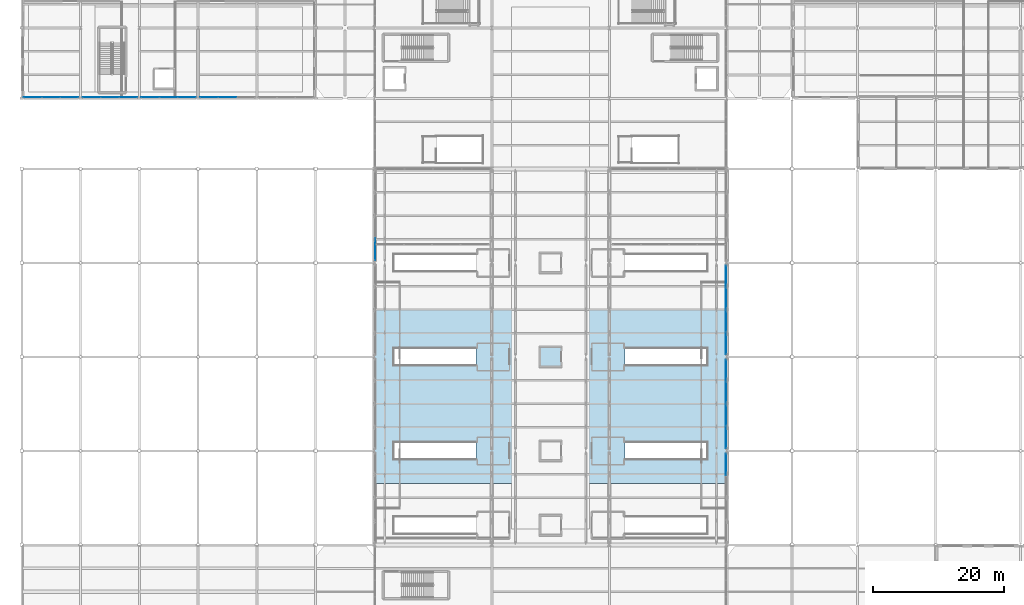
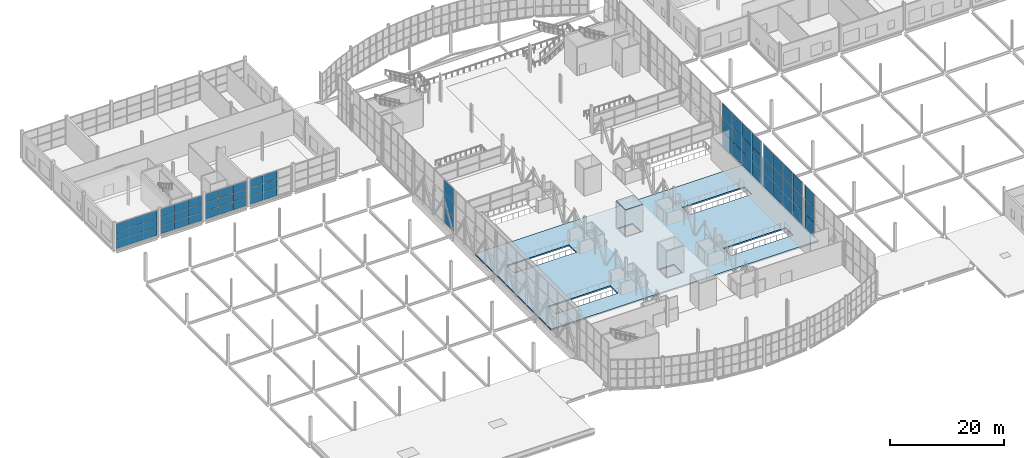
# One storey, part 151 of 191: 63 plates, 2 slabs, 8 elements without a shape of their own.
"""IFC4 building model written with IfcOpenShell, lengths in metres."""

from ifc_helpers import new_model, si_unit, direction, frame, origin, origin_2d, place, context, subcontext, project, spatial, polyline, rectangle, outline, extrude, material, layer, layer_set, type_object, element, aggregate, save


model = new_model("IFC4")

# Units and contexts
model_context = context("Model", 3, precision=1e-05, world=origin(), true_north=direction((0.0, 1.0)))
body_context = subcontext(model_context, "Body", "Model", "MODEL_VIEW")
ifc_project = project(units=[si_unit("LENGTHUNIT", "METRE"), si_unit("AREAUNIT", "SQUARE_METRE"), si_unit("VOLUMEUNIT", "CUBIC_METRE"), si_unit("PLANEANGLEUNIT", "RADIAN"), si_unit("MASSUNIT", "GRAM", prefix="KILO")], contexts=[model_context])

# Site, building, storey
site_placement = place(None, origin())
site = spatial("IfcSite", under=ifc_project, at=site_placement, CompositionType="ELEMENT")
building_placement = place(site_placement, origin())
building = spatial("IfcBuilding", under=site, at=building_placement, Name="Tamarisk Ironworks Central Station", CompositionType="ELEMENT")
storey_placement = place(building_placement, frame((0.0, 0.0, 6.60009765625)))
storey = spatial("IfcBuildingStorey", under=building, at=storey_placement, Name="L01", CompositionType="ELEMENT", Elevation=6.60009765625)

# Curtain wall, plates
ifc_material_1 = material(Name="Anodized aluminium alloy 6063-T6", Category="aluminium")
ifc_layer_1 = layer(ifc_material_1, 0.179931640625)
ifc_layer_set_1 = layer_set([ifc_layer_1], Name="Anodized aluminium alloy 6063-T6")
curtain_wall_type_1 = type_object("IfcCurtainWallType", Name="CW-06", PredefinedType="USERDEFINED", material=ifc_layer_set_1)
curtain_wall_1_placement = place(storey_placement, origin())
curtain_wall_1 = element("IfcCurtainWall", 1, at=curtain_wall_1_placement, inside=storey, type_object=curtain_wall_type_1, Name="Concourse W track-overlook curtain wall 05", ObjectType="GLAZED CURTAIN WALL", PredefinedType="USERDEFINED")
ifc_material_2 = material(Name="Laminated solar-control low-E glass", Category="glass")
ifc_layer_2 = layer(ifc_material_2, 0.028076171875)
ifc_layer_set_2 = layer_set([ifc_layer_2], Name="Laminated solar-control low-E glass")
plate_type = type_object("IfcPlateType", Name="PL-CWP28", PredefinedType="CURTAIN_PANEL", material=ifc_layer_set_2)
plate_1_placement = place(storey_placement, frame((54.1201171875, 66.88134765625, 0.06884765625), z_axis=(0.0, 0.0, 1.0), x_axis=(0.0, 1.0, 0.0)))
plate_1 = element("IfcPlate", 2, at=plate_1_placement, type_object=plate_type, Name="CW06 panel 1.1", PredefinedType="CURTAIN_PANEL", context=body_context, shape_type="SweptSolid", body=[
    extrude(rectangle(XDim=3.324462890625, YDim=0.028076171875, at=origin_2d()), origin(), (0.0, 0.0, 1.0), 2.972900390625),
])
plate_2_placement = place(storey_placement, frame((54.1201171875, 66.88134765625, 3.1044921875), z_axis=(0.0, 0.0, 1.0), x_axis=(0.0, 1.0, 0.0)))
plate_2 = element("IfcPlate", 3, at=plate_2_placement, type_object=plate_type, Name="CW06 panel 1.2", PredefinedType="CURTAIN_PANEL", context=body_context, shape_type="SweptSolid", body=[
    extrude(rectangle(XDim=3.324462890625, YDim=0.028076171875, at=origin_2d()), origin(), (0.0, 0.0, 1.0), 3.010498046875),
])
plate_3_placement = place(storey_placement, frame((54.1201171875, 66.88134765625, 6.17822265625), z_axis=(0.0, 0.0, 1.0), x_axis=(0.0, 1.0, 0.0)))
plate_3 = element("IfcPlate", 4, at=plate_3_placement, type_object=plate_type, Name="CW06 panel 1.3", PredefinedType="CURTAIN_PANEL", context=body_context, shape_type="SweptSolid", body=[
    extrude(rectangle(XDim=3.324462890625, YDim=0.028076171875, at=origin_2d()), origin(), (0.0, 0.0, 1.0), 2.972900390625),
])
aggregate(curtain_wall_1, [plate_1, plate_2, plate_3])

curtain_wall_2_placement = place(storey_placement, origin())
curtain_wall_2 = element("IfcCurtainWall", 5, at=curtain_wall_2_placement, inside=storey, type_object=curtain_wall_type_1, Name="Concourse E track-overlook curtain wall 02", ObjectType="GLAZED CURTAIN WALL", PredefinedType="USERDEFINED")
plate_4_placement = place(storey_placement, frame((107.8798828125, 33.918701171875, 0.06884765625), z_axis=(0.0, 0.0, 1.0), x_axis=(0.0, 1.0, 0.0)))
plate_4 = element("IfcPlate", 6, at=plate_4_placement, type_object=plate_type, Name="CW06 panel 4.1", PredefinedType="CURTAIN_PANEL", context=body_context, shape_type="SweptSolid", body=[
    extrude(rectangle(XDim=3.324462890625, YDim=0.028076171875, at=origin_2d()), origin(), (0.0, 0.0, 1.0), 2.972900390625),
])
plate_5_placement = place(storey_placement, frame((107.8798828125, 33.918701171875, 3.1044921875), z_axis=(0.0, 0.0, 1.0), x_axis=(0.0, 1.0, 0.0)))
plate_5 = element("IfcPlate", 7, at=plate_5_placement, type_object=plate_type, Name="CW06 panel 4.2", PredefinedType="CURTAIN_PANEL", context=body_context, shape_type="SweptSolid", body=[
    extrude(rectangle(XDim=3.324462890625, YDim=0.028076171875, at=origin_2d()), origin(), (0.0, 0.0, 1.0), 3.010498046875),
])
plate_6_placement = place(storey_placement, frame((107.8798828125, 33.918701171875, 6.17822265625), z_axis=(0.0, 0.0, 1.0), x_axis=(0.0, 1.0, 0.0)))
plate_6 = element("IfcPlate", 8, at=plate_6_placement, type_object=plate_type, Name="CW06 panel 4.3", PredefinedType="CURTAIN_PANEL", context=body_context, shape_type="SweptSolid", body=[
    extrude(rectangle(XDim=3.324462890625, YDim=0.028076171875, at=origin_2d()), origin(), (0.0, 0.0, 1.0), 2.972900390625),
])
aggregate(curtain_wall_2, [plate_4, plate_5, plate_6])

curtain_wall_3_placement = place(storey_placement, origin())
curtain_wall_3 = element("IfcCurtainWall", 9, at=curtain_wall_3_placement, inside=storey, type_object=curtain_wall_type_1, Name="Concourse E track-overlook curtain wall 03", ObjectType="GLAZED CURTAIN WALL", PredefinedType="USERDEFINED")
plate_7_placement = place(storey_placement, frame((107.8798828125, 38.081298828125, 0.06884765625), z_axis=(0.0, 0.0, 1.0), x_axis=(0.0, 1.0, 0.0)))
plate_7 = element("IfcPlate", 10, at=plate_7_placement, type_object=plate_type, Name="CW06 panel 1.1", PredefinedType="CURTAIN_PANEL", context=body_context, shape_type="SweptSolid", body=[
    extrude(rectangle(XDim=3.324462890625, YDim=0.028076171875, at=origin_2d()), origin(), (0.0, 0.0, 1.0), 2.972900390625),
])
plate_8_placement = place(storey_placement, frame((107.8798828125, 38.081298828125, 3.1044921875), z_axis=(0.0, 0.0, 1.0), x_axis=(0.0, 1.0, 0.0)))
plate_8 = element("IfcPlate", 11, at=plate_8_placement, type_object=plate_type, Name="CW06 panel 1.2", PredefinedType="CURTAIN_PANEL", context=body_context, shape_type="SweptSolid", body=[
    extrude(rectangle(XDim=3.324462890625, YDim=0.028076171875, at=origin_2d()), origin(), (0.0, 0.0, 1.0), 3.010498046875),
])
plate_9_placement = place(storey_placement, frame((107.8798828125, 38.081298828125, 6.17822265625), z_axis=(0.0, 0.0, 1.0), x_axis=(0.0, 1.0, 0.0)))
plate_9 = element("IfcPlate", 12, at=plate_9_placement, type_object=plate_type, Name="CW06 panel 1.3", PredefinedType="CURTAIN_PANEL", context=body_context, shape_type="SweptSolid", body=[
    extrude(rectangle(XDim=3.324462890625, YDim=0.028076171875, at=origin_2d()), origin(), (0.0, 0.0, 1.0), 2.972900390625),
])
plate_10_placement = place(storey_placement, frame((107.8798828125, 41.487548828125, 0.06884765625), z_axis=(0.0, 0.0, 1.0), x_axis=(0.0, 1.0, 0.0)))
plate_10 = element("IfcPlate", 13, at=plate_10_placement, type_object=plate_type, Name="CW06 panel 2.1", PredefinedType="CURTAIN_PANEL", context=body_context, shape_type="SweptSolid", body=[
    extrude(rectangle(XDim=3.362060546875, YDim=0.028076171875, at=origin_2d()), origin(), (0.0, 0.0, 1.0), 2.972900390625),
])
plate_11_placement = place(storey_placement, frame((107.8798828125, 41.487548828125, 3.1044921875), z_axis=(0.0, 0.0, 1.0), x_axis=(0.0, 1.0, 0.0)))
plate_11 = element("IfcPlate", 14, at=plate_11_placement, type_object=plate_type, Name="CW06 panel 2.2", PredefinedType="CURTAIN_PANEL", context=body_context, shape_type="SweptSolid", body=[
    extrude(rectangle(XDim=3.362060546875, YDim=0.028076171875, at=origin_2d()), origin(), (0.0, 0.0, 1.0), 3.010498046875),
])
plate_12_placement = place(storey_placement, frame((107.8798828125, 41.487548828125, 6.17822265625), z_axis=(0.0, 0.0, 1.0), x_axis=(0.0, 1.0, 0.0)))
plate_12 = element("IfcPlate", 15, at=plate_12_placement, type_object=plate_type, Name="CW06 panel 2.3", PredefinedType="CURTAIN_PANEL", context=body_context, shape_type="SweptSolid", body=[
    extrude(rectangle(XDim=3.362060546875, YDim=0.028076171875, at=origin_2d()), origin(), (0.0, 0.0, 1.0), 2.972900390625),
])
plate_13_placement = place(storey_placement, frame((107.8798828125, 44.91259765625, 0.06884765625), z_axis=(0.0, 0.0, 1.0), x_axis=(0.0, 1.0, 0.0)))
plate_13 = element("IfcPlate", 16, at=plate_13_placement, type_object=plate_type, Name="CW06 panel 3.1", PredefinedType="CURTAIN_PANEL", context=body_context, shape_type="SweptSolid", body=[
    extrude(rectangle(XDim=3.362060546875, YDim=0.028076171875, at=origin_2d()), origin(), (0.0, 0.0, 1.0), 2.972900390625),
])
plate_14_placement = place(storey_placement, frame((107.8798828125, 44.91259765625, 3.1044921875), z_axis=(0.0, 0.0, 1.0), x_axis=(0.0, 1.0, 0.0)))
plate_14 = element("IfcPlate", 17, at=plate_14_placement, type_object=plate_type, Name="CW06 panel 3.2", PredefinedType="CURTAIN_PANEL", context=body_context, shape_type="SweptSolid", body=[
    extrude(rectangle(XDim=3.362060546875, YDim=0.028076171875, at=origin_2d()), origin(), (0.0, 0.0, 1.0), 3.010498046875),
])
plate_15_placement = place(storey_placement, frame((107.8798828125, 44.91259765625, 6.17822265625), z_axis=(0.0, 0.0, 1.0), x_axis=(0.0, 1.0, 0.0)))
plate_15 = element("IfcPlate", 18, at=plate_15_placement, type_object=plate_type, Name="CW06 panel 3.3", PredefinedType="CURTAIN_PANEL", context=body_context, shape_type="SweptSolid", body=[
    extrude(rectangle(XDim=3.362060546875, YDim=0.028076171875, at=origin_2d()), origin(), (0.0, 0.0, 1.0), 2.972900390625),
])
plate_16_placement = place(storey_placement, frame((107.8798828125, 48.31884765625, 0.06884765625), z_axis=(0.0, 0.0, 1.0), x_axis=(0.0, 1.0, 0.0)))
plate_16 = element("IfcPlate", 19, at=plate_16_placement, type_object=plate_type, Name="CW06 panel 4.1", PredefinedType="CURTAIN_PANEL", context=body_context, shape_type="SweptSolid", body=[
    extrude(rectangle(XDim=3.324462890625, YDim=0.028076171875, at=origin_2d()), origin(), (0.0, 0.0, 1.0), 2.972900390625),
])
plate_17_placement = place(storey_placement, frame((107.8798828125, 48.31884765625, 3.1044921875), z_axis=(0.0, 0.0, 1.0), x_axis=(0.0, 1.0, 0.0)))
plate_17 = element("IfcPlate", 20, at=plate_17_placement, type_object=plate_type, Name="CW06 panel 4.2", PredefinedType="CURTAIN_PANEL", context=body_context, shape_type="SweptSolid", body=[
    extrude(rectangle(XDim=3.324462890625, YDim=0.028076171875, at=origin_2d()), origin(), (0.0, 0.0, 1.0), 3.010498046875),
])
plate_18_placement = place(storey_placement, frame((107.8798828125, 48.31884765625, 6.17822265625), z_axis=(0.0, 0.0, 1.0), x_axis=(0.0, 1.0, 0.0)))
plate_18 = element("IfcPlate", 21, at=plate_18_placement, type_object=plate_type, Name="CW06 panel 4.3", PredefinedType="CURTAIN_PANEL", context=body_context, shape_type="SweptSolid", body=[
    extrude(rectangle(XDim=3.324462890625, YDim=0.028076171875, at=origin_2d()), origin(), (0.0, 0.0, 1.0), 2.972900390625),
])
aggregate(curtain_wall_3, [plate_7, plate_8, plate_9, plate_10, plate_11, plate_12, plate_13, plate_14, plate_15, plate_16, plate_17, plate_18])

curtain_wall_4_placement = place(storey_placement, origin())
curtain_wall_4 = element("IfcCurtainWall", 22, at=curtain_wall_4_placement, inside=storey, type_object=curtain_wall_type_1, Name="Concourse E track-overlook curtain wall 04", ObjectType="GLAZED CURTAIN WALL", PredefinedType="USERDEFINED")
plate_19_placement = place(storey_placement, frame((107.8798828125, 52.481201171875, 0.06884765625), z_axis=(0.0, 0.0, 1.0), x_axis=(0.0, 1.0, 0.0)))
plate_19 = element("IfcPlate", 23, at=plate_19_placement, type_object=plate_type, Name="CW06 panel 1.1", PredefinedType="CURTAIN_PANEL", context=body_context, shape_type="SweptSolid", body=[
    extrude(rectangle(XDim=3.324462890625, YDim=0.028076171875, at=origin_2d()), origin(), (0.0, 0.0, 1.0), 2.972900390625),
])
plate_20_placement = place(storey_placement, frame((107.8798828125, 52.481201171875, 3.1044921875), z_axis=(0.0, 0.0, 1.0), x_axis=(0.0, 1.0, 0.0)))
plate_20 = element("IfcPlate", 24, at=plate_20_placement, type_object=plate_type, Name="CW06 panel 1.2", PredefinedType="CURTAIN_PANEL", context=body_context, shape_type="SweptSolid", body=[
    extrude(rectangle(XDim=3.324462890625, YDim=0.028076171875, at=origin_2d()), origin(), (0.0, 0.0, 1.0), 3.010498046875),
])
plate_21_placement = place(storey_placement, frame((107.8798828125, 52.481201171875, 6.17822265625), z_axis=(0.0, 0.0, 1.0), x_axis=(0.0, 1.0, 0.0)))
plate_21 = element("IfcPlate", 25, at=plate_21_placement, type_object=plate_type, Name="CW06 panel 1.3", PredefinedType="CURTAIN_PANEL", context=body_context, shape_type="SweptSolid", body=[
    extrude(rectangle(XDim=3.324462890625, YDim=0.028076171875, at=origin_2d()), origin(), (0.0, 0.0, 1.0), 2.972900390625),
])
plate_22_placement = place(storey_placement, frame((107.8798828125, 55.887451171875, 0.06884765625), z_axis=(0.0, 0.0, 1.0), x_axis=(0.0, 1.0, 0.0)))
plate_22 = element("IfcPlate", 26, at=plate_22_placement, type_object=plate_type, Name="CW06 panel 2.1", PredefinedType="CURTAIN_PANEL", context=body_context, shape_type="SweptSolid", body=[
    extrude(rectangle(XDim=3.362060546875, YDim=0.028076171875, at=origin_2d()), origin(), (0.0, 0.0, 1.0), 2.972900390625),
])
plate_23_placement = place(storey_placement, frame((107.8798828125, 55.887451171875, 3.1044921875), z_axis=(0.0, 0.0, 1.0), x_axis=(0.0, 1.0, 0.0)))
plate_23 = element("IfcPlate", 27, at=plate_23_placement, type_object=plate_type, Name="CW06 panel 2.2", PredefinedType="CURTAIN_PANEL", context=body_context, shape_type="SweptSolid", body=[
    extrude(rectangle(XDim=3.362060546875, YDim=0.028076171875, at=origin_2d()), origin(), (0.0, 0.0, 1.0), 3.010498046875),
])
plate_24_placement = place(storey_placement, frame((107.8798828125, 55.887451171875, 6.17822265625), z_axis=(0.0, 0.0, 1.0), x_axis=(0.0, 1.0, 0.0)))
plate_24 = element("IfcPlate", 28, at=plate_24_placement, type_object=plate_type, Name="CW06 panel 2.3", PredefinedType="CURTAIN_PANEL", context=body_context, shape_type="SweptSolid", body=[
    extrude(rectangle(XDim=3.362060546875, YDim=0.028076171875, at=origin_2d()), origin(), (0.0, 0.0, 1.0), 2.972900390625),
])
plate_25_placement = place(storey_placement, frame((107.8798828125, 59.3125, 0.06884765625), z_axis=(0.0, 0.0, 1.0), x_axis=(0.0, 1.0, 0.0)))
plate_25 = element("IfcPlate", 29, at=plate_25_placement, type_object=plate_type, Name="CW06 panel 3.1", PredefinedType="CURTAIN_PANEL", context=body_context, shape_type="SweptSolid", body=[
    extrude(rectangle(XDim=3.362060546875, YDim=0.028076171875, at=origin_2d()), origin(), (0.0, 0.0, 1.0), 2.972900390625),
])
plate_26_placement = place(storey_placement, frame((107.8798828125, 59.3125, 3.1044921875), z_axis=(0.0, 0.0, 1.0), x_axis=(0.0, 1.0, 0.0)))
plate_26 = element("IfcPlate", 30, at=plate_26_placement, type_object=plate_type, Name="CW06 panel 3.2", PredefinedType="CURTAIN_PANEL", context=body_context, shape_type="SweptSolid", body=[
    extrude(rectangle(XDim=3.362060546875, YDim=0.028076171875, at=origin_2d()), origin(), (0.0, 0.0, 1.0), 3.010498046875),
])
plate_27_placement = place(storey_placement, frame((107.8798828125, 59.3125, 6.17822265625), z_axis=(0.0, 0.0, 1.0), x_axis=(0.0, 1.0, 0.0)))
plate_27 = element("IfcPlate", 31, at=plate_27_placement, type_object=plate_type, Name="CW06 panel 3.3", PredefinedType="CURTAIN_PANEL", context=body_context, shape_type="SweptSolid", body=[
    extrude(rectangle(XDim=3.362060546875, YDim=0.028076171875, at=origin_2d()), origin(), (0.0, 0.0, 1.0), 2.972900390625),
])
plate_28_placement = place(storey_placement, frame((107.8798828125, 62.71875, 0.06884765625), z_axis=(0.0, 0.0, 1.0), x_axis=(0.0, 1.0, 0.0)))
plate_28 = element("IfcPlate", 32, at=plate_28_placement, type_object=plate_type, Name="CW06 panel 4.1", PredefinedType="CURTAIN_PANEL", context=body_context, shape_type="SweptSolid", body=[
    extrude(rectangle(XDim=3.324462890625, YDim=0.028076171875, at=origin_2d()), origin(), (0.0, 0.0, 1.0), 2.972900390625),
])
plate_29_placement = place(storey_placement, frame((107.8798828125, 62.71875, 3.1044921875), z_axis=(0.0, 0.0, 1.0), x_axis=(0.0, 1.0, 0.0)))
plate_29 = element("IfcPlate", 33, at=plate_29_placement, type_object=plate_type, Name="CW06 panel 4.2", PredefinedType="CURTAIN_PANEL", context=body_context, shape_type="SweptSolid", body=[
    extrude(rectangle(XDim=3.324462890625, YDim=0.028076171875, at=origin_2d()), origin(), (0.0, 0.0, 1.0), 3.010498046875),
])
plate_30_placement = place(storey_placement, frame((107.8798828125, 62.71875, 6.17822265625), z_axis=(0.0, 0.0, 1.0), x_axis=(0.0, 1.0, 0.0)))
plate_30 = element("IfcPlate", 34, at=plate_30_placement, type_object=plate_type, Name="CW06 panel 4.3", PredefinedType="CURTAIN_PANEL", context=body_context, shape_type="SweptSolid", body=[
    extrude(rectangle(XDim=3.324462890625, YDim=0.028076171875, at=origin_2d()), origin(), (0.0, 0.0, 1.0), 2.972900390625),
])
aggregate(curtain_wall_4, [plate_19, plate_20, plate_21, plate_22, plate_23, plate_24, plate_25, plate_26, plate_27, plate_28, plate_29, plate_30])

ifc_layer_3 = layer(ifc_material_1, 0.179931640625)
ifc_layer_set_3 = layer_set([ifc_layer_3], Name="Anodized aluminium alloy 6063-T6")
curtain_wall_type_2 = type_object("IfcCurtainWallType", Name="CW-10", PredefinedType="USERDEFINED", material=ifc_layer_set_3)
curtain_wall_5_placement = place(storey_placement, origin())
curtain_wall_5 = element("IfcCurtainWall", 35, at=curtain_wall_5_placement, inside=storey, type_object=curtain_wall_type_2, Name="Pavilion L01 S glazed arcade 00", ObjectType="GLAZED CURTAIN WALL", PredefinedType="USERDEFINED")
plate_31_placement = place(storey_placement, frame((1.6982421875, 90.14990234375, 0.058837890625), z_axis=(0.0, 0.0, 1.0), x_axis=(1.0, 0.0, 0.0)))
plate_31 = element("IfcPlate", 36, at=plate_31_placement, type_object=plate_type, Name="CW10 panel 1.1", PredefinedType="CURTAIN_PANEL", context=body_context, shape_type="SweptSolid", body=[
    extrude(rectangle(XDim=2.732421875, YDim=0.028076171875, at=origin_2d()), origin(), (0.0, 0.0, 1.0), 1.72119140625),
])
plate_32_placement = place(storey_placement, frame((1.6982421875, 90.14990234375, 1.8330078125), z_axis=(0.0, 0.0, 1.0), x_axis=(1.0, 0.0, 0.0)))
plate_32 = element("IfcPlate", 37, at=plate_32_placement, type_object=plate_type, Name="CW10 panel 1.2", PredefinedType="CURTAIN_PANEL", context=body_context, shape_type="SweptSolid", body=[
    extrude(rectangle(XDim=2.732421875, YDim=0.028076171875, at=origin_2d()), origin(), (0.0, 0.0, 1.0), 1.753662109375),
])
plate_33_placement = place(storey_placement, frame((1.6982421875, 90.14990234375, 3.6396484375), z_axis=(0.0, 0.0, 1.0), x_axis=(1.0, 0.0, 0.0)))
plate_33 = element("IfcPlate", 38, at=plate_33_placement, type_object=plate_type, Name="CW10 panel 1.3", PredefinedType="CURTAIN_PANEL", context=body_context, shape_type="SweptSolid", body=[
    extrude(rectangle(XDim=2.732421875, YDim=0.028076171875, at=origin_2d()), origin(), (0.0, 0.0, 1.0), 1.72119140625),
])
plate_34_placement = place(storey_placement, frame((4.5, 90.14990234375, 0.058837890625), z_axis=(0.0, 0.0, 1.0), x_axis=(1.0, 0.0, 0.0)))
plate_34 = element("IfcPlate", 39, at=plate_34_placement, type_object=plate_type, Name="CW10 panel 2.1", PredefinedType="CURTAIN_PANEL", context=body_context, shape_type="SweptSolid", body=[
    extrude(rectangle(XDim=2.764892578125, YDim=0.028076171875, at=origin_2d()), origin(), (0.0, 0.0, 1.0), 1.72119140625),
])
plate_35_placement = place(storey_placement, frame((4.5, 90.14990234375, 1.8330078125), z_axis=(0.0, 0.0, 1.0), x_axis=(1.0, 0.0, 0.0)))
plate_35 = element("IfcPlate", 40, at=plate_35_placement, type_object=plate_type, Name="CW10 panel 2.2", PredefinedType="CURTAIN_PANEL", context=body_context, shape_type="SweptSolid", body=[
    extrude(rectangle(XDim=2.764892578125, YDim=0.028076171875, at=origin_2d()), origin(), (0.0, 0.0, 1.0), 1.753662109375),
])
plate_36_placement = place(storey_placement, frame((4.5, 90.14990234375, 3.6396484375), z_axis=(0.0, 0.0, 1.0), x_axis=(1.0, 0.0, 0.0)))
plate_36 = element("IfcPlate", 41, at=plate_36_placement, type_object=plate_type, Name="CW10 panel 2.3", PredefinedType="CURTAIN_PANEL", context=body_context, shape_type="SweptSolid", body=[
    extrude(rectangle(XDim=2.764892578125, YDim=0.028076171875, at=origin_2d()), origin(), (0.0, 0.0, 1.0), 1.72119140625),
])
plate_37_placement = place(storey_placement, frame((7.3017578125, 90.14990234375, 0.058837890625), z_axis=(0.0, 0.0, 1.0), x_axis=(1.0, 0.0, 0.0)))
plate_37 = element("IfcPlate", 42, at=plate_37_placement, type_object=plate_type, Name="CW10 panel 3.1", PredefinedType="CURTAIN_PANEL", context=body_context, shape_type="SweptSolid", body=[
    extrude(rectangle(XDim=2.732421875, YDim=0.028076171875, at=origin_2d()), origin(), (0.0, 0.0, 1.0), 1.72119140625),
])
plate_38_placement = place(storey_placement, frame((7.3017578125, 90.14990234375, 1.8330078125), z_axis=(0.0, 0.0, 1.0), x_axis=(1.0, 0.0, 0.0)))
plate_38 = element("IfcPlate", 43, at=plate_38_placement, type_object=plate_type, Name="CW10 panel 3.2", PredefinedType="CURTAIN_PANEL", context=body_context, shape_type="SweptSolid", body=[
    extrude(rectangle(XDim=2.732421875, YDim=0.028076171875, at=origin_2d()), origin(), (0.0, 0.0, 1.0), 1.753662109375),
])
plate_39_placement = place(storey_placement, frame((7.3017578125, 90.14990234375, 3.6396484375), z_axis=(0.0, 0.0, 1.0), x_axis=(1.0, 0.0, 0.0)))
plate_39 = element("IfcPlate", 44, at=plate_39_placement, type_object=plate_type, Name="CW10 panel 3.3", PredefinedType="CURTAIN_PANEL", context=body_context, shape_type="SweptSolid", body=[
    extrude(rectangle(XDim=2.732421875, YDim=0.028076171875, at=origin_2d()), origin(), (0.0, 0.0, 1.0), 1.72119140625),
])
aggregate(curtain_wall_5, [plate_31, plate_32, plate_33, plate_34, plate_35, plate_36, plate_37, plate_38, plate_39])

curtain_wall_6_placement = place(storey_placement, origin())
curtain_wall_6 = element("IfcCurtainWall", 45, at=curtain_wall_6_placement, inside=storey, type_object=curtain_wall_type_2, Name="Pavilion L01 S glazed arcade 09", ObjectType="GLAZED CURTAIN WALL", PredefinedType="USERDEFINED")
plate_40_placement = place(storey_placement, frame((10.6982421875, 90.14990234375, 0.058837890625), z_axis=(0.0, 0.0, 1.0), x_axis=(1.0, 0.0, 0.0)))
plate_40 = element("IfcPlate", 46, at=plate_40_placement, type_object=plate_type, Name="CW10 panel 1.1", PredefinedType="CURTAIN_PANEL", context=body_context, shape_type="SweptSolid", body=[
    extrude(rectangle(XDim=2.732421875, YDim=0.028076171875, at=origin_2d()), origin(), (0.0, 0.0, 1.0), 1.72119140625),
])
plate_41_placement = place(storey_placement, frame((10.6982421875, 90.14990234375, 1.8330078125), z_axis=(0.0, 0.0, 1.0), x_axis=(1.0, 0.0, 0.0)))
plate_41 = element("IfcPlate", 47, at=plate_41_placement, type_object=plate_type, Name="CW10 panel 1.2", PredefinedType="CURTAIN_PANEL", context=body_context, shape_type="SweptSolid", body=[
    extrude(rectangle(XDim=2.732421875, YDim=0.028076171875, at=origin_2d()), origin(), (0.0, 0.0, 1.0), 1.753662109375),
])
plate_42_placement = place(storey_placement, frame((10.6982421875, 90.14990234375, 3.6396484375), z_axis=(0.0, 0.0, 1.0), x_axis=(1.0, 0.0, 0.0)))
plate_42 = element("IfcPlate", 48, at=plate_42_placement, type_object=plate_type, Name="CW10 panel 1.3", PredefinedType="CURTAIN_PANEL", context=body_context, shape_type="SweptSolid", body=[
    extrude(rectangle(XDim=2.732421875, YDim=0.028076171875, at=origin_2d()), origin(), (0.0, 0.0, 1.0), 1.72119140625),
])
plate_43_placement = place(storey_placement, frame((13.5, 90.14990234375, 0.058837890625), z_axis=(0.0, 0.0, 1.0), x_axis=(1.0, 0.0, 0.0)))
plate_43 = element("IfcPlate", 49, at=plate_43_placement, type_object=plate_type, Name="CW10 panel 2.1", PredefinedType="CURTAIN_PANEL", context=body_context, shape_type="SweptSolid", body=[
    extrude(rectangle(XDim=2.764892578125, YDim=0.028076171875, at=origin_2d()), origin(), (0.0, 0.0, 1.0), 1.72119140625),
])
plate_44_placement = place(storey_placement, frame((13.5, 90.14990234375, 1.8330078125), z_axis=(0.0, 0.0, 1.0), x_axis=(1.0, 0.0, 0.0)))
plate_44 = element("IfcPlate", 50, at=plate_44_placement, type_object=plate_type, Name="CW10 panel 2.2", PredefinedType="CURTAIN_PANEL", context=body_context, shape_type="SweptSolid", body=[
    extrude(rectangle(XDim=2.764892578125, YDim=0.028076171875, at=origin_2d()), origin(), (0.0, 0.0, 1.0), 1.753662109375),
])
plate_45_placement = place(storey_placement, frame((13.5, 90.14990234375, 3.6396484375), z_axis=(0.0, 0.0, 1.0), x_axis=(1.0, 0.0, 0.0)))
plate_45 = element("IfcPlate", 51, at=plate_45_placement, type_object=plate_type, Name="CW10 panel 2.3", PredefinedType="CURTAIN_PANEL", context=body_context, shape_type="SweptSolid", body=[
    extrude(rectangle(XDim=2.764892578125, YDim=0.028076171875, at=origin_2d()), origin(), (0.0, 0.0, 1.0), 1.72119140625),
])
plate_46_placement = place(storey_placement, frame((16.3017578125, 90.14990234375, 0.058837890625), z_axis=(0.0, 0.0, 1.0), x_axis=(1.0, 0.0, 0.0)))
plate_46 = element("IfcPlate", 52, at=plate_46_placement, type_object=plate_type, Name="CW10 panel 3.1", PredefinedType="CURTAIN_PANEL", context=body_context, shape_type="SweptSolid", body=[
    extrude(rectangle(XDim=2.732421875, YDim=0.028076171875, at=origin_2d()), origin(), (0.0, 0.0, 1.0), 1.72119140625),
])
plate_47_placement = place(storey_placement, frame((16.3017578125, 90.14990234375, 1.8330078125), z_axis=(0.0, 0.0, 1.0), x_axis=(1.0, 0.0, 0.0)))
plate_47 = element("IfcPlate", 53, at=plate_47_placement, type_object=plate_type, Name="CW10 panel 3.2", PredefinedType="CURTAIN_PANEL", context=body_context, shape_type="SweptSolid", body=[
    extrude(rectangle(XDim=2.732421875, YDim=0.028076171875, at=origin_2d()), origin(), (0.0, 0.0, 1.0), 1.753662109375),
])
plate_48_placement = place(storey_placement, frame((16.3017578125, 90.14990234375, 3.6396484375), z_axis=(0.0, 0.0, 1.0), x_axis=(1.0, 0.0, 0.0)))
plate_48 = element("IfcPlate", 54, at=plate_48_placement, type_object=plate_type, Name="CW10 panel 3.3", PredefinedType="CURTAIN_PANEL", context=body_context, shape_type="SweptSolid", body=[
    extrude(rectangle(XDim=2.732421875, YDim=0.028076171875, at=origin_2d()), origin(), (0.0, 0.0, 1.0), 1.72119140625),
])
aggregate(curtain_wall_6, [plate_40, plate_41, plate_42, plate_43, plate_44, plate_45, plate_46, plate_47, plate_48])

curtain_wall_7_placement = place(storey_placement, origin())
curtain_wall_7 = element("IfcCurtainWall", 55, at=curtain_wall_7_placement, inside=storey, type_object=curtain_wall_type_2, Name="Pavilion L01 S glazed arcade 18", ObjectType="GLAZED CURTAIN WALL", PredefinedType="USERDEFINED")
plate_49_placement = place(storey_placement, frame((19.6982421875, 90.14990234375, 0.058837890625), z_axis=(0.0, 0.0, 1.0), x_axis=(1.0, 0.0, 0.0)))
plate_49 = element("IfcPlate", 56, at=plate_49_placement, type_object=plate_type, Name="CW10 panel 1.1", PredefinedType="CURTAIN_PANEL", context=body_context, shape_type="SweptSolid", body=[
    extrude(rectangle(XDim=2.732421875, YDim=0.028076171875, at=origin_2d()), origin(), (0.0, 0.0, 1.0), 1.72119140625),
])
plate_50_placement = place(storey_placement, frame((19.6982421875, 90.14990234375, 1.8330078125), z_axis=(0.0, 0.0, 1.0), x_axis=(1.0, 0.0, 0.0)))
plate_50 = element("IfcPlate", 57, at=plate_50_placement, type_object=plate_type, Name="CW10 panel 1.2", PredefinedType="CURTAIN_PANEL", context=body_context, shape_type="SweptSolid", body=[
    extrude(rectangle(XDim=2.732421875, YDim=0.028076171875, at=origin_2d()), origin(), (0.0, 0.0, 1.0), 1.753662109375),
])
plate_51_placement = place(storey_placement, frame((19.6982421875, 90.14990234375, 3.6396484375), z_axis=(0.0, 0.0, 1.0), x_axis=(1.0, 0.0, 0.0)))
plate_51 = element("IfcPlate", 58, at=plate_51_placement, type_object=plate_type, Name="CW10 panel 1.3", PredefinedType="CURTAIN_PANEL", context=body_context, shape_type="SweptSolid", body=[
    extrude(rectangle(XDim=2.732421875, YDim=0.028076171875, at=origin_2d()), origin(), (0.0, 0.0, 1.0), 1.72119140625),
])
plate_52_placement = place(storey_placement, frame((22.5, 90.14990234375, 0.058837890625), z_axis=(0.0, 0.0, 1.0), x_axis=(1.0, 0.0, 0.0)))
plate_52 = element("IfcPlate", 59, at=plate_52_placement, type_object=plate_type, Name="CW10 panel 2.1", PredefinedType="CURTAIN_PANEL", context=body_context, shape_type="SweptSolid", body=[
    extrude(rectangle(XDim=2.764892578125, YDim=0.028076171875, at=origin_2d()), origin(), (0.0, 0.0, 1.0), 1.72119140625),
])
plate_53_placement = place(storey_placement, frame((22.5, 90.14990234375, 1.8330078125), z_axis=(0.0, 0.0, 1.0), x_axis=(1.0, 0.0, 0.0)))
plate_53 = element("IfcPlate", 60, at=plate_53_placement, type_object=plate_type, Name="CW10 panel 2.2", PredefinedType="CURTAIN_PANEL", context=body_context, shape_type="SweptSolid", body=[
    extrude(rectangle(XDim=2.764892578125, YDim=0.028076171875, at=origin_2d()), origin(), (0.0, 0.0, 1.0), 1.753662109375),
])
plate_54_placement = place(storey_placement, frame((22.5, 90.14990234375, 3.6396484375), z_axis=(0.0, 0.0, 1.0), x_axis=(1.0, 0.0, 0.0)))
plate_54 = element("IfcPlate", 61, at=plate_54_placement, type_object=plate_type, Name="CW10 panel 2.3", PredefinedType="CURTAIN_PANEL", context=body_context, shape_type="SweptSolid", body=[
    extrude(rectangle(XDim=2.764892578125, YDim=0.028076171875, at=origin_2d()), origin(), (0.0, 0.0, 1.0), 1.72119140625),
])
plate_55_placement = place(storey_placement, frame((25.3017578125, 90.14990234375, 0.058837890625), z_axis=(0.0, 0.0, 1.0), x_axis=(1.0, 0.0, 0.0)))
plate_55 = element("IfcPlate", 62, at=plate_55_placement, type_object=plate_type, Name="CW10 panel 3.1", PredefinedType="CURTAIN_PANEL", context=body_context, shape_type="SweptSolid", body=[
    extrude(rectangle(XDim=2.732421875, YDim=0.028076171875, at=origin_2d()), origin(), (0.0, 0.0, 1.0), 1.72119140625),
])
plate_56_placement = place(storey_placement, frame((25.3017578125, 90.14990234375, 1.8330078125), z_axis=(0.0, 0.0, 1.0), x_axis=(1.0, 0.0, 0.0)))
plate_56 = element("IfcPlate", 63, at=plate_56_placement, type_object=plate_type, Name="CW10 panel 3.2", PredefinedType="CURTAIN_PANEL", context=body_context, shape_type="SweptSolid", body=[
    extrude(rectangle(XDim=2.732421875, YDim=0.028076171875, at=origin_2d()), origin(), (0.0, 0.0, 1.0), 1.753662109375),
])
plate_57_placement = place(storey_placement, frame((25.3017578125, 90.14990234375, 3.6396484375), z_axis=(0.0, 0.0, 1.0), x_axis=(1.0, 0.0, 0.0)))
plate_57 = element("IfcPlate", 64, at=plate_57_placement, type_object=plate_type, Name="CW10 panel 3.3", PredefinedType="CURTAIN_PANEL", context=body_context, shape_type="SweptSolid", body=[
    extrude(rectangle(XDim=2.732421875, YDim=0.028076171875, at=origin_2d()), origin(), (0.0, 0.0, 1.0), 1.72119140625),
])
aggregate(curtain_wall_7, [plate_49, plate_50, plate_51, plate_52, plate_53, plate_54, plate_55, plate_56, plate_57])

curtain_wall_8_placement = place(storey_placement, origin())
curtain_wall_8 = element("IfcCurtainWall", 65, at=curtain_wall_8_placement, inside=storey, type_object=curtain_wall_type_2, Name="Pavilion L01 S glazed arcade 27", ObjectType="GLAZED CURTAIN WALL", PredefinedType="USERDEFINED")
plate_58_placement = place(storey_placement, frame((28.6982421875, 90.14990234375, 0.058837890625), z_axis=(0.0, 0.0, 1.0), x_axis=(1.0, 0.0, 0.0)))
plate_58 = element("IfcPlate", 66, at=plate_58_placement, type_object=plate_type, Name="CW10 panel 1.1", PredefinedType="CURTAIN_PANEL", context=body_context, shape_type="SweptSolid", body=[
    extrude(rectangle(XDim=2.732421875, YDim=0.028076171875, at=origin_2d()), origin(), (0.0, 0.0, 1.0), 1.72119140625),
])
plate_59_placement = place(storey_placement, frame((28.6982421875, 90.14990234375, 1.8330078125), z_axis=(0.0, 0.0, 1.0), x_axis=(1.0, 0.0, 0.0)))
plate_59 = element("IfcPlate", 67, at=plate_59_placement, type_object=plate_type, Name="CW10 panel 1.2", PredefinedType="CURTAIN_PANEL", context=body_context, shape_type="SweptSolid", body=[
    extrude(rectangle(XDim=2.732421875, YDim=0.028076171875, at=origin_2d()), origin(), (0.0, 0.0, 1.0), 1.753662109375),
])
plate_60_placement = place(storey_placement, frame((28.6982421875, 90.14990234375, 3.6396484375), z_axis=(0.0, 0.0, 1.0), x_axis=(1.0, 0.0, 0.0)))
plate_60 = element("IfcPlate", 68, at=plate_60_placement, type_object=plate_type, Name="CW10 panel 1.3", PredefinedType="CURTAIN_PANEL", context=body_context, shape_type="SweptSolid", body=[
    extrude(rectangle(XDim=2.732421875, YDim=0.028076171875, at=origin_2d()), origin(), (0.0, 0.0, 1.0), 1.72119140625),
])
plate_61_placement = place(storey_placement, frame((31.5, 90.14990234375, 0.058837890625), z_axis=(0.0, 0.0, 1.0), x_axis=(1.0, 0.0, 0.0)))
plate_61 = element("IfcPlate", 69, at=plate_61_placement, type_object=plate_type, Name="CW10 panel 2.1", PredefinedType="CURTAIN_PANEL", context=body_context, shape_type="SweptSolid", body=[
    extrude(rectangle(XDim=2.764892578125, YDim=0.028076171875, at=origin_2d()), origin(), (0.0, 0.0, 1.0), 1.72119140625),
])
plate_62_placement = place(storey_placement, frame((31.5, 90.14990234375, 1.8330078125), z_axis=(0.0, 0.0, 1.0), x_axis=(1.0, 0.0, 0.0)))
plate_62 = element("IfcPlate", 70, at=plate_62_placement, type_object=plate_type, Name="CW10 panel 2.2", PredefinedType="CURTAIN_PANEL", context=body_context, shape_type="SweptSolid", body=[
    extrude(rectangle(XDim=2.764892578125, YDim=0.028076171875, at=origin_2d()), origin(), (0.0, 0.0, 1.0), 1.753662109375),
])
plate_63_placement = place(storey_placement, frame((31.5, 90.14990234375, 3.6396484375), z_axis=(0.0, 0.0, 1.0), x_axis=(1.0, 0.0, 0.0)))
plate_63 = element("IfcPlate", 71, at=plate_63_placement, type_object=plate_type, Name="CW10 panel 2.3", PredefinedType="CURTAIN_PANEL", context=body_context, shape_type="SweptSolid", body=[
    extrude(rectangle(XDim=2.764892578125, YDim=0.028076171875, at=origin_2d()), origin(), (0.0, 0.0, 1.0), 1.72119140625),
])
aggregate(curtain_wall_8, [plate_58, plate_59, plate_60, plate_61, plate_62, plate_63])

# Slabs
ifc_material_3 = material(Name="Concrete C35/45", Category="concrete")
ifc_layer_4 = layer(ifc_material_3, 0.300048828125)
ifc_layer_set_4 = layer_set([ifc_layer_4], Name="Concrete C35/45")
slab_type_1 = type_object("IfcSlabType", Name="SL-BR300", PredefinedType="FLOOR", material=ifc_layer_set_4)
slab_1_placement = place(storey_placement, frame((0.0, 0.0, -0.300048828125)))
element("IfcSlab", 72, at=slab_1_placement, inside=storey, type_object=slab_type_1, Name="L01 Suspended Floor Slab V2-M1", PredefinedType="FLOOR", context=body_context, shape_type="SweptSolid", body=[
    extrude(outline(polyline([(54.0, 31.0), (108.0, 31.0), (108.0, 57.60009765625), (54.0, 57.60009765625), (54.0, 31.0)]), holes=[polyline([(79.5, 34.60009765625), (82.5, 34.60009765625), (82.5, 37.39990234375), (79.5, 37.39990234375), (79.5, 34.60009765625)]), polyline([(79.5, 49.0), (82.5, 49.0), (82.5, 51.800048828125), (79.5, 51.800048828125), (79.5, 49.0)]), polyline([(57.0, 34.699951171875), (69.60009765625, 34.699951171875), (69.60009765625, 37.300048828125), (57.0, 37.300048828125), (57.0, 34.699951171875)]), polyline([(92.39990234375, 34.699951171875), (105.0, 34.699951171875), (105.0, 37.300048828125), (92.39990234375, 37.300048828125), (92.39990234375, 34.699951171875)]), polyline([(57.0, 49.10009765625), (69.60009765625, 49.10009765625), (69.60009765625, 51.699951171875), (57.0, 51.699951171875), (57.0, 49.10009765625)]), polyline([(92.39990234375, 49.10009765625), (105.0, 49.10009765625), (105.0, 51.699951171875), (92.39990234375, 51.699951171875), (92.39990234375, 49.10009765625)])]), origin(), (0.0, 0.0, 1.0), 0.300048828125),
])
ifc_layer_5 = layer(ifc_material_3, 0.159912109375)
ifc_layer_set_5 = layer_set([ifc_layer_5], Name="Concrete C35/45")
slab_type_2 = type_object("IfcSlabType", Name="SL-RF160", PredefinedType="ROOF", material=ifc_layer_set_5)
slab_2_placement = place(storey_placement, frame((0.0, 0.0, 5.699951171875)))
element("IfcSlab", 73, at=slab_2_placement, inside=storey, type_object=slab_type_2, Name="LF-P3 shaft overrun cap slab", PredefinedType="ROOF", context=body_context, shape_type="SweptSolid", body=[
    extrude(outline(polyline([(79.25, 48.75), (82.75, 48.75), (82.75, 52.050048828125), (79.25, 52.050048828125), (79.25, 48.75)])), origin(), (0.0, 0.0, 1.0), 0.159912109375),
])

save(model, "model.ifc")
